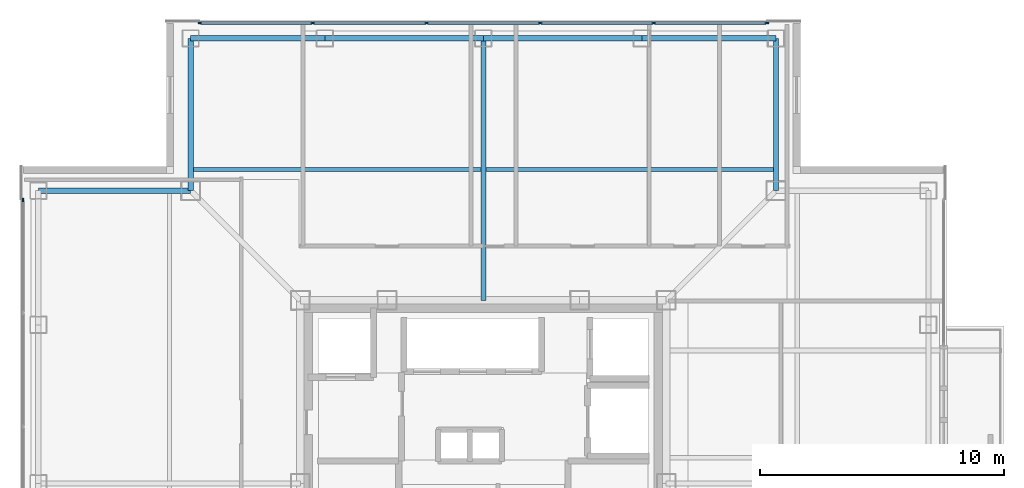
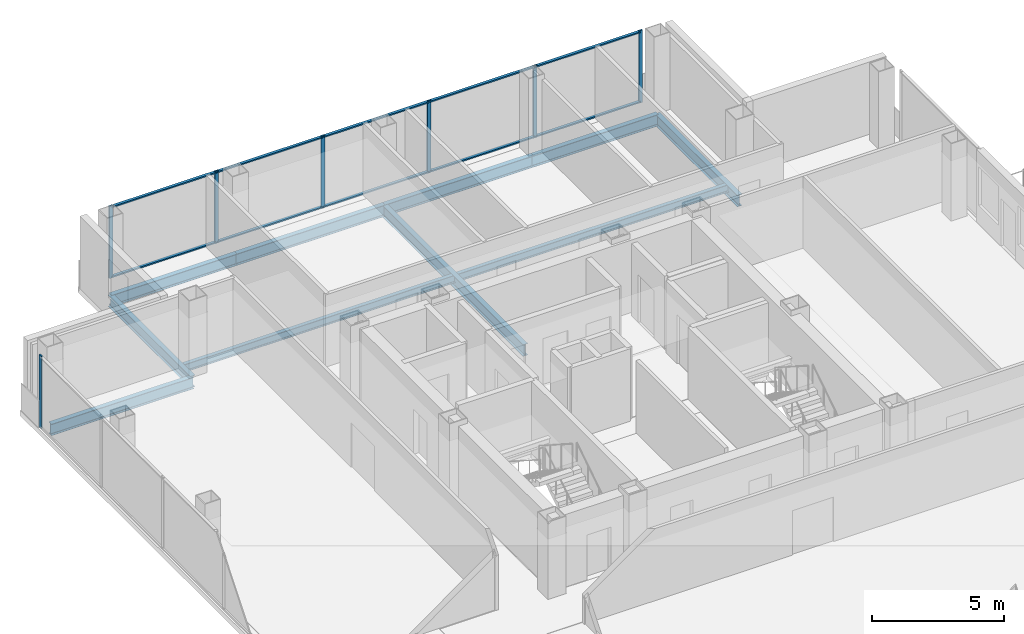
# One storey, part 5 of 15: 17 members, 9 beams, 2 elements without a shape of their own.
"""IFC4 building model written with IfcOpenShell, lengths in metres."""

from ifc_helpers import new_model, si_unit, direction, frame, origin, origin_2d, place, context, subcontext, project, spatial, rectangle, i_section, extrude, material, layer, layer_set, material_profile, profile_set, type_object, element, aggregate, save


model = new_model("IFC4")

# Units and contexts
model_context = context("Model", 3, precision=1e-05, world=origin(), true_north=direction((0.0, 1.0)))
body_context = subcontext(model_context, "Body", "Model", "MODEL_VIEW")
ifc_project = project(units=[si_unit("LENGTHUNIT", "METRE"), si_unit("AREAUNIT", "SQUARE_METRE"), si_unit("VOLUMEUNIT", "CUBIC_METRE"), si_unit("PLANEANGLEUNIT", "RADIAN"), si_unit("MASSUNIT", "GRAM", prefix="KILO")], contexts=[model_context])

# Site, building, storey
site_placement = place(None, origin())
site = spatial("IfcSite", under=ifc_project, at=site_placement, CompositionType="ELEMENT")
building_placement = place(site_placement, origin())
building = spatial("IfcBuilding", under=site, at=building_placement, Name="Trevonay Congress Spire", CompositionType="ELEMENT")
storey_placement = place(building_placement, frame((0.0, 0.0, 243.199951171875)))
storey = spatial("IfcBuildingStorey", under=building, at=storey_placement, Name="L63", CompositionType="ELEMENT", Elevation=243.199951171875)

# Beams
ifc_material_1 = material(Name="Steel ASTM A572 Grade 50", Category="steel")
ifc_material_profile_1 = material_profile(ifc_material_1, i_section(OverallWidth=0.2119140625, OverallDepth=0.5439453125, WebThickness=0.01318359375, FlangeThickness=0.021240234375, FilletRadius=0.014892578125, at=origin_2d()), Name="W530x123")
ifc_profile_set_1 = profile_set([ifc_material_profile_1], Name="Steel ASTM A572 Grade 50")
beam_type_1 = type_object("IfcBeamType", Name="BM-GIRD-W530X123", PredefinedType="BEAM", material=ifc_profile_set_1)
beam_1_placement = place(storey_placement, frame((0.0, 7.5, -0.511962890625), z_axis=(0.0, 1.0, 0.0), x_axis=(-1.0, 0.0, 0.0)))
element("IfcBeam", 1, at=beam_1_placement, inside=storey, type_object=beam_type_1, Name="L63 structural beam BM-L63-GC-N", PredefinedType="BEAM", context=body_context, shape_type="SweptSolid", body=[
    extrude(i_section(OverallWidth=0.2119140625, OverallDepth=0.5439453125, WebThickness=0.01318359375, FlangeThickness=0.021240234375, FilletRadius=0.014892578125, at=origin_2d()), origin(), (0.0, 0.0, 1.0), 10.75),
])
ifc_material_profile_2 = material_profile(ifc_material_1, i_section(OverallWidth=0.208984375, OverallDepth=0.532958984375, WebThickness=0.01025390625, FlangeThickness=0.015625, FilletRadius=0.014892578125, at=origin_2d()), Name="W530x92")
ifc_profile_set_2 = profile_set([ifc_material_profile_2], Name="Steel ASTM A572 Grade 50")
beam_type_2 = type_object("IfcBeamType", Name="BM-RING-W530X92", PredefinedType="BEAM", material=ifc_profile_set_2)
beam_2_placement = place(storey_placement, frame((-12.0, 18.25, -0.50634765625), z_axis=(1.0, 0.0, 0.0), x_axis=(0.0, 1.0, 0.0)))
element("IfcBeam", 2, at=beam_2_placement, inside=storey, type_object=beam_type_2, Name="L63 structural beam BM-L63-PN1", PredefinedType="BEAM", context=body_context, shape_type="SweptSolid", body=[
    extrude(i_section(OverallWidth=0.208984375, OverallDepth=0.532958984375, WebThickness=0.01025390625, FlangeThickness=0.015625, FilletRadius=0.014892578125, at=origin_2d()), origin(), (0.0, 0.0, 1.0), 5.5),
])
for number, where, z_axis, x_axis, name in (
    (3, (-6.5, 18.25, -0.50634765625), (1.0, 0.0, 0.0), (0.0, 1.0, 0.0), "L63 structural beam BM-L63-PN2"),
    (4, (0.0, 18.25, -0.50634765625), (1.0, 0.0, 0.0), (0.0, 1.0, 0.0), "L63 structural beam BM-L63-PN3"),
):
    element("IfcBeam", number, at=place(storey_placement, frame(where, z_axis=z_axis, x_axis=x_axis)), inside=storey, type_object=beam_type_2, Name=name, PredefinedType="BEAM", context=body_context, shape_type="SweptSolid", body=[
        extrude(i_section(OverallWidth=0.208984375, OverallDepth=0.532958984375, WebThickness=0.01025390625, FlangeThickness=0.015625, FilletRadius=0.014892578125, at=origin_2d()), origin(), (0.0, 0.0, 1.0), 6.5),
    ])
beam_3_placement = place(storey_placement, frame((6.5, 18.25, -0.50634765625), z_axis=(1.0, 0.0, 0.0), x_axis=(0.0, 1.0, 0.0)))
element("IfcBeam", 5, at=beam_3_placement, inside=storey, type_object=beam_type_2, Name="L63 structural beam BM-L63-PN4", PredefinedType="BEAM", context=body_context, shape_type="SweptSolid", body=[
    extrude(i_section(OverallWidth=0.208984375, OverallDepth=0.532958984375, WebThickness=0.01025390625, FlangeThickness=0.015625, FilletRadius=0.014892578125, at=origin_2d()), origin(), (0.0, 0.0, 1.0), 5.5),
])
for number, where, z_axis, x_axis, name in (
    (6, (12.0, 18.25, -0.50634765625), (0.0, -1.0, 0.0), (1.0, 0.0, 0.0), "L63 structural beam BM-L63-N1NE"),
    (7, (-12.0, 18.25, -0.50634765625), (0.0, -1.0, 0.0), (1.0, 0.0, 0.0), "L63 structural beam BM-L63-N1NW"),
    (8, (-18.25, 12.0, -0.50634765625), (1.0, 0.0, 0.0), (0.0, 1.0, 0.0), "L63 structural beam BM-L63-N2NW"),
):
    element("IfcBeam", number, at=place(storey_placement, frame(where, z_axis=z_axis, x_axis=x_axis)), inside=storey, type_object=beam_type_2, Name=name, PredefinedType="BEAM", context=body_context, shape_type="SweptSolid", body=[
        extrude(i_section(OverallWidth=0.208984375, OverallDepth=0.532958984375, WebThickness=0.01025390625, FlangeThickness=0.015625, FilletRadius=0.014892578125, at=origin_2d()), origin(), (0.0, 0.0, 1.0), 6.25),
    ])

# Curtain wall, members
ifc_material_2 = material(Name="Pale Anodised Aluminium EN AW-6063-T6", Category="aluminium")
ifc_layer = layer(ifc_material_2, 0.1650390625, Name="Pale Anodised Aluminium EN AW-6063-T6")
ifc_layer_set = layer_set([ifc_layer], Name="Pale Anodised Aluminium EN AW-6063-T6")
curtain_wall_type = type_object("IfcCurtainWallType", Name="CW-SYS05-DIPLOM-PALE-METAL", PredefinedType="NOTDEFINED", material=ifc_layer_set)
curtain_wall_1_placement = place(storey_placement, origin())
curtain_wall_1 = element("IfcCurtainWall", 9, at=curtain_wall_1_placement, inside=storey, type_object=curtain_wall_type, Name="L63 N unitised curtain wall", PredefinedType="NOTDEFINED")
ifc_material_profile_3 = material_profile(ifc_material_2, rectangle(XDim=0.06005859375, YDim=0.159912109375, at=origin_2d()), Name="CW-MULLION-160-ALUMINIUM")
ifc_profile_set_3 = profile_set([ifc_material_profile_3], Name="Pale Anodised Aluminium EN AW-6063-T6")
member_type_1 = type_object("IfcMemberType", Name="CW-MULLION-160-ALUMINIUM", PredefinedType="MULLION", material=ifc_profile_set_3)
member_1_placement = place(storey_placement, frame((-11.6201171875, 18.8798828125, 0.0), z_axis=(0.0, 0.0, 1.0), x_axis=(0.0, 1.0, 0.0)))
member_1 = element("IfcMember", 10, at=member_1_placement, type_object=member_type_1, Name="CW05 mullion 1", PredefinedType="MULLION", context=body_context, shape_type="SweptSolid", body=[
    extrude(rectangle(XDim=0.06005859375, YDim=0.159912109375, at=origin_2d()), origin(), (0.0, 0.0, 1.0), 3.360107421875),
])
member_2_placement = place(storey_placement, frame((-6.989990234375, 18.8798828125, 0.0), z_axis=(0.0, 0.0, 1.0), x_axis=(0.0, 1.0, 0.0)))
member_2 = element("IfcMember", 11, at=member_2_placement, type_object=member_type_1, Name="CW05 mullion 2", PredefinedType="MULLION", context=body_context, shape_type="SweptSolid", body=[
    extrude(rectangle(XDim=0.06005859375, YDim=0.159912109375, at=origin_2d()), origin(), (0.0, 0.0, 1.0), 3.360107421875),
])
member_3_placement = place(storey_placement, frame((-2.330078125, 18.8798828125, 0.0), z_axis=(0.0, 0.0, 1.0), x_axis=(0.0, 1.0, 0.0)))
member_3 = element("IfcMember", 12, at=member_3_placement, type_object=member_type_1, Name="CW05 mullion 3", PredefinedType="MULLION", context=body_context, shape_type="SweptSolid", body=[
    extrude(rectangle(XDim=0.06005859375, YDim=0.159912109375, at=origin_2d()), origin(), (0.0, 0.0, 1.0), 3.360107421875),
])
member_4_placement = place(storey_placement, frame((2.330078125, 18.8798828125, 0.0), z_axis=(0.0, 0.0, 1.0), x_axis=(0.0, 1.0, 0.0)))
member_4 = element("IfcMember", 13, at=member_4_placement, type_object=member_type_1, Name="CW05 mullion 4", PredefinedType="MULLION", context=body_context, shape_type="SweptSolid", body=[
    extrude(rectangle(XDim=0.06005859375, YDim=0.159912109375, at=origin_2d()), origin(), (0.0, 0.0, 1.0), 3.360107421875),
])
member_5_placement = place(storey_placement, frame((6.989990234375, 18.8798828125, 0.0), z_axis=(0.0, 0.0, 1.0), x_axis=(0.0, 1.0, 0.0)))
member_5 = element("IfcMember", 14, at=member_5_placement, type_object=member_type_1, Name="CW05 mullion 5", PredefinedType="MULLION", context=body_context, shape_type="SweptSolid", body=[
    extrude(rectangle(XDim=0.06005859375, YDim=0.159912109375, at=origin_2d()), origin(), (0.0, 0.0, 1.0), 3.360107421875),
])
member_6_placement = place(storey_placement, frame((11.6201171875, 18.8798828125, 0.0), z_axis=(0.0, 0.0, 1.0), x_axis=(0.0, 1.0, 0.0)))
member_6 = element("IfcMember", 15, at=member_6_placement, type_object=member_type_1, Name="CW05 mullion 6", PredefinedType="MULLION", context=body_context, shape_type="SweptSolid", body=[
    extrude(rectangle(XDim=0.06005859375, YDim=0.159912109375, at=origin_2d()), origin(), (0.0, 0.0, 1.0), 3.360107421875),
])

# Curtain wall, member
curtain_wall_2_placement = place(storey_placement, origin())
curtain_wall_2 = element("IfcCurtainWall", 16, at=curtain_wall_2_placement, inside=storey, type_object=curtain_wall_type, Name="L63 W unitised curtain wall", PredefinedType="NOTDEFINED")
member_7_placement = place(storey_placement, frame((-18.8798828125, 11.6201171875, 0.0), z_axis=(0.0, 0.0, 1.0), x_axis=(-1.0, 0.0, 0.0)))
member_7 = element("IfcMember", 17, at=member_7_placement, type_object=member_type_1, Name="CW05 mullion 6", PredefinedType="MULLION", context=body_context, shape_type="SweptSolid", body=[
    extrude(rectangle(XDim=0.06005859375, YDim=0.159912109375, at=origin_2d()), origin(), (0.0, 0.0, 1.0), 3.360107421875),
])
aggregate(curtain_wall_2, [member_7])

# Member
ifc_material_profile_4 = material_profile(ifc_material_2, rectangle(XDim=0.1201171875, YDim=0.06005859375, at=origin_2d()), Name="CW-TRANSOM-120-ALUMINIUM")
ifc_profile_set_4 = profile_set([ifc_material_profile_4], Name="Pale Anodised Aluminium EN AW-6063-T6")
member_type_2 = type_object("IfcMemberType", Name="CW-TRANSOM-120-ALUMINIUM", PredefinedType="USERDEFINED", material=ifc_profile_set_4)
member_8_placement = place(storey_placement, frame((-11.590087890625, 18.8798828125, 0.06005859375), z_axis=(1.0, 0.0, 0.0), x_axis=(0.0, 1.0, 0.0)))
member_8 = element("IfcMember", 18, at=member_8_placement, type_object=member_type_2, Name="CW05 transom 1.1", ObjectType="TRANSOM", PredefinedType="USERDEFINED", context=body_context, shape_type="SweptSolid", body=[
    extrude(rectangle(XDim=0.1201171875, YDim=0.06005859375, at=origin_2d()), origin(), (0.0, 0.0, 1.0), 4.570068359375),
])

member_9_placement = place(storey_placement, frame((-11.590087890625, 18.8798828125, 3.300048828125), z_axis=(1.0, 0.0, 0.0), x_axis=(0.0, 1.0, 0.0)))
member_9 = element("IfcMember", 19, at=member_9_placement, type_object=member_type_2, Name="CW05 transom 1.2", ObjectType="TRANSOM", PredefinedType="USERDEFINED", context=body_context, shape_type="SweptSolid", body=[
    extrude(rectangle(XDim=0.1201171875, YDim=0.06005859375, at=origin_2d()), origin(), (0.0, 0.0, 1.0), 4.570068359375),
])

member_10_placement = place(storey_placement, frame((-6.9599609375, 18.8798828125, 0.06005859375), z_axis=(1.0, 0.0, 0.0), x_axis=(0.0, 1.0, 0.0)))
member_10 = element("IfcMember", 20, at=member_10_placement, type_object=member_type_2, Name="CW05 transom 2.1", ObjectType="TRANSOM", PredefinedType="USERDEFINED", context=body_context, shape_type="SweptSolid", body=[
    extrude(rectangle(XDim=0.1201171875, YDim=0.06005859375, at=origin_2d()), origin(), (0.0, 0.0, 1.0), 4.599853515625),
])

member_11_placement = place(storey_placement, frame((-6.9599609375, 18.8798828125, 3.300048828125), z_axis=(1.0, 0.0, 0.0), x_axis=(0.0, 1.0, 0.0)))
member_11 = element("IfcMember", 21, at=member_11_placement, type_object=member_type_2, Name="CW05 transom 2.2", ObjectType="TRANSOM", PredefinedType="USERDEFINED", context=body_context, shape_type="SweptSolid", body=[
    extrude(rectangle(XDim=0.1201171875, YDim=0.06005859375, at=origin_2d()), origin(), (0.0, 0.0, 1.0), 4.599853515625),
])

member_12_placement = place(storey_placement, frame((-2.300048828125, 18.8798828125, 0.06005859375), z_axis=(1.0, 0.0, 0.0), x_axis=(0.0, 1.0, 0.0)))
member_12 = element("IfcMember", 22, at=member_12_placement, type_object=member_type_2, Name="CW05 transom 3.1", ObjectType="TRANSOM", PredefinedType="USERDEFINED", context=body_context, shape_type="SweptSolid", body=[
    extrude(rectangle(XDim=0.1201171875, YDim=0.06005859375, at=origin_2d()), origin(), (0.0, 0.0, 1.0), 4.60009765625),
])

member_13_placement = place(storey_placement, frame((-2.300048828125, 18.8798828125, 3.300048828125), z_axis=(1.0, 0.0, 0.0), x_axis=(0.0, 1.0, 0.0)))
member_13 = element("IfcMember", 23, at=member_13_placement, type_object=member_type_2, Name="CW05 transom 3.2", ObjectType="TRANSOM", PredefinedType="USERDEFINED", context=body_context, shape_type="SweptSolid", body=[
    extrude(rectangle(XDim=0.1201171875, YDim=0.06005859375, at=origin_2d()), origin(), (0.0, 0.0, 1.0), 4.60009765625),
])

member_14_placement = place(storey_placement, frame((2.360107421875, 18.8798828125, 0.06005859375), z_axis=(1.0, 0.0, 0.0), x_axis=(0.0, 1.0, 0.0)))
member_14 = element("IfcMember", 24, at=member_14_placement, type_object=member_type_2, Name="CW05 transom 4.1", ObjectType="TRANSOM", PredefinedType="USERDEFINED", context=body_context, shape_type="SweptSolid", body=[
    extrude(rectangle(XDim=0.1201171875, YDim=0.06005859375, at=origin_2d()), origin(), (0.0, 0.0, 1.0), 4.599853515625),
])

member_15_placement = place(storey_placement, frame((2.360107421875, 18.8798828125, 3.300048828125), z_axis=(1.0, 0.0, 0.0), x_axis=(0.0, 1.0, 0.0)))
member_15 = element("IfcMember", 25, at=member_15_placement, type_object=member_type_2, Name="CW05 transom 4.2", ObjectType="TRANSOM", PredefinedType="USERDEFINED", context=body_context, shape_type="SweptSolid", body=[
    extrude(rectangle(XDim=0.1201171875, YDim=0.06005859375, at=origin_2d()), origin(), (0.0, 0.0, 1.0), 4.599853515625),
])

member_16_placement = place(storey_placement, frame((7.02001953125, 18.8798828125, 0.06005859375), z_axis=(1.0, 0.0, 0.0), x_axis=(0.0, 1.0, 0.0)))
member_16 = element("IfcMember", 26, at=member_16_placement, type_object=member_type_2, Name="CW05 transom 5.1", ObjectType="TRANSOM", PredefinedType="USERDEFINED", context=body_context, shape_type="SweptSolid", body=[
    extrude(rectangle(XDim=0.1201171875, YDim=0.06005859375, at=origin_2d()), origin(), (0.0, 0.0, 1.0), 4.570068359375),
])

member_17_placement = place(storey_placement, frame((7.02001953125, 18.8798828125, 3.300048828125), z_axis=(1.0, 0.0, 0.0), x_axis=(0.0, 1.0, 0.0)))
member_17 = element("IfcMember", 27, at=member_17_placement, type_object=member_type_2, Name="CW05 transom 5.2", ObjectType="TRANSOM", PredefinedType="USERDEFINED", context=body_context, shape_type="SweptSolid", body=[
    extrude(rectangle(XDim=0.1201171875, YDim=0.06005859375, at=origin_2d()), origin(), (0.0, 0.0, 1.0), 4.570068359375),
])

aggregate(curtain_wall_1, [member_1, member_2, member_3, member_4, member_5, member_6, member_8, member_9, member_10, member_11, member_12, member_13, member_14, member_15, member_16, member_17])

# Beam
ifc_material_profile_5 = material_profile(ifc_material_1, i_section(OverallWidth=0.172119140625, OverallDepth=0.35791015625, WebThickness=0.0078125, FlangeThickness=0.01318359375, FilletRadius=0.011962890625, at=origin_2d()), Name="W360x57.8")
ifc_profile_set_5 = profile_set([ifc_material_profile_5], Name="Steel ASTM A572 Grade 50")
beam_type_3 = type_object("IfcBeamType", Name="JS-COMP-W360X57", PredefinedType="JOIST", material=ifc_profile_set_5)
beam_4_placement = place(storey_placement, frame((-12.0, 12.875, -0.4189453125), z_axis=(1.0, 0.0, 0.0), x_axis=(0.0, 1.0, 0.0)))
element("IfcBeam", 28, at=beam_4_placement, inside=storey, type_object=beam_type_3, Name="L63 structural beam JS-L63-RING-N", PredefinedType="JOIST", context=body_context, shape_type="SweptSolid", body=[
    extrude(i_section(OverallWidth=0.172119140625, OverallDepth=0.35791015625, WebThickness=0.0078125, FlangeThickness=0.01318359375, FilletRadius=0.011962890625, at=origin_2d()), origin(), (0.0, 0.0, 1.0), 24.0),
])

save(model, "model.ifc")
